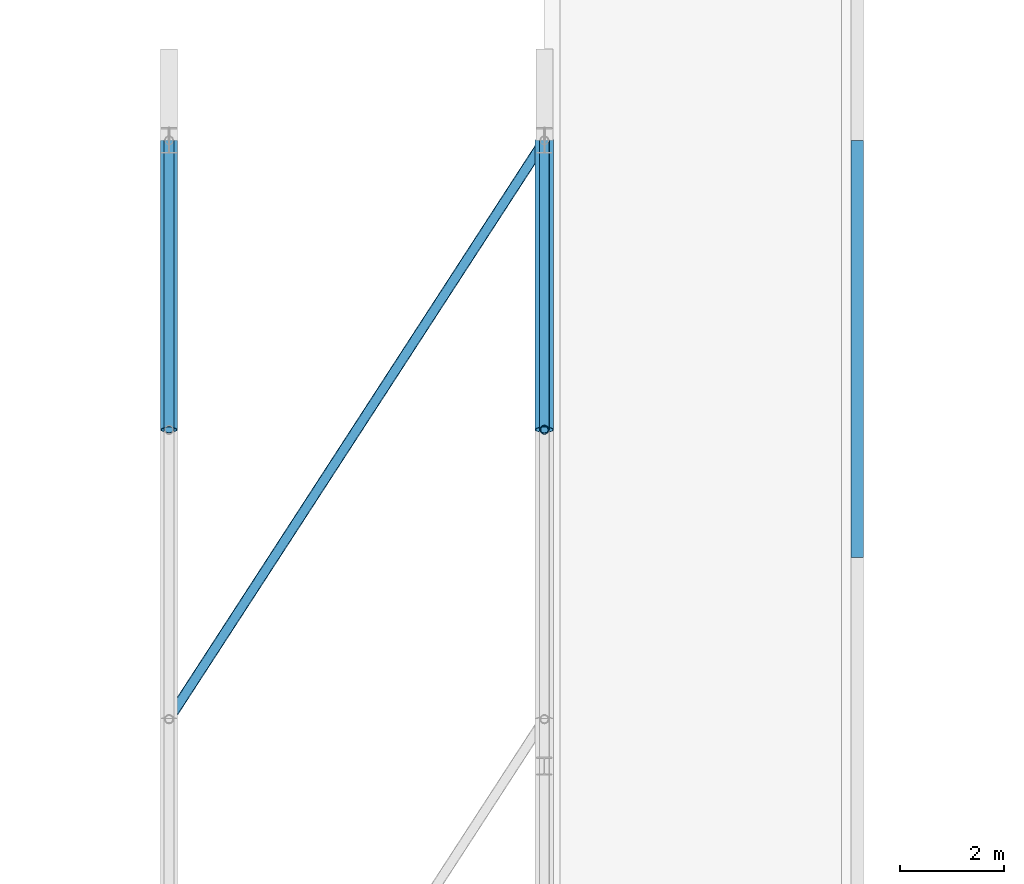
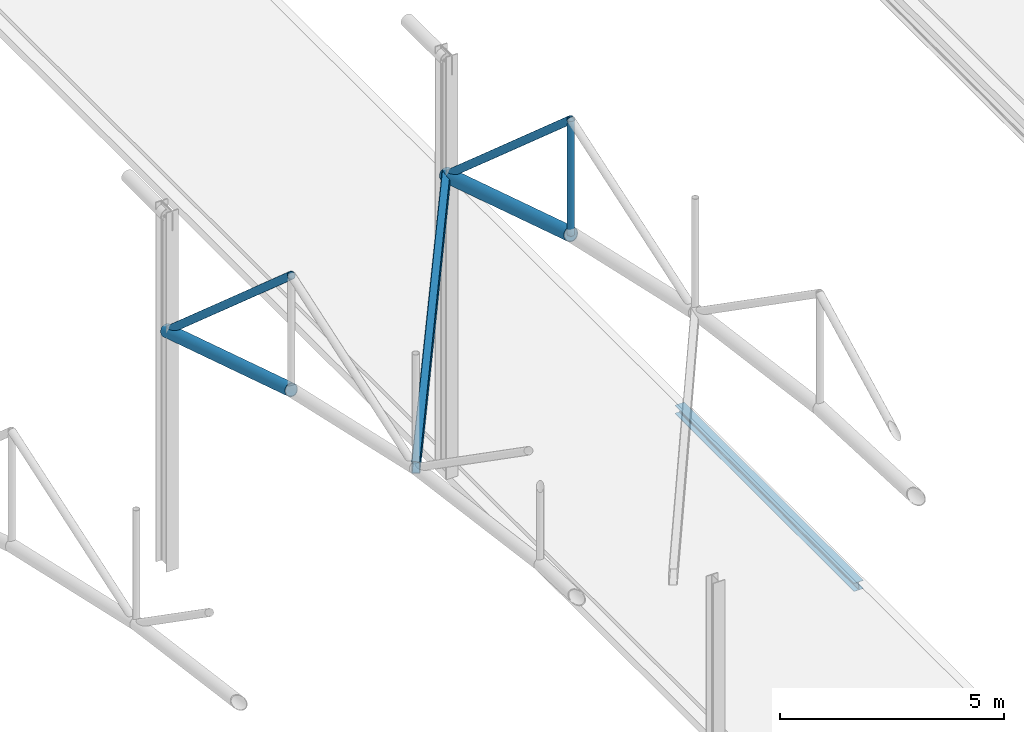
# One storey, part 73 of 153: 6 members, 1 beam.
"""IFC4 building model written with IfcOpenShell, lengths in metres."""

from ifc_helpers import new_model, si_unit, derived_unit, direction, frame, origin, origin_2d, place, context, subcontext, project, spatial, hollow_rectangle, hollow_circle, i_section, extrude, material, material_profile, profile_set, type_object, element, save


model = new_model("IFC4")

# Units and contexts
model_context = context("Model", 3, precision=1e-05, world=origin(), true_north=direction((0.0, 1.0)))
body_context = subcontext(model_context, "Body", "Model", "MODEL_VIEW")
ifc_project = project(units=[si_unit("LENGTHUNIT", "METRE"), si_unit("AREAUNIT", "SQUARE_METRE"), si_unit("VOLUMEUNIT", "CUBIC_METRE"), si_unit("PLANEANGLEUNIT", "RADIAN"), si_unit("MASSUNIT", "GRAM", prefix="KILO"), derived_unit("THERMALTRANSMITTANCEUNIT", [(si_unit("POWERUNIT", "WATT"), 1), (si_unit("LENGTHUNIT", "METRE"), -2), (si_unit("THERMODYNAMICTEMPERATUREUNIT", "KELVIN"), -1)])], contexts=[model_context])

# Site, building, storey
site_placement = place(None, origin())
site = spatial("IfcSite", under=ifc_project, at=site_placement, CompositionType="ELEMENT")
building_placement = place(site_placement, origin())
building = spatial("IfcBuilding", under=site, at=building_placement, Name="Keldorne Ridge Multi-Sports Centre", CompositionType="ELEMENT")
storey_placement = place(building_placement, frame((0.0, 0.0, 9.60009765625)))
storey = spatial("IfcBuildingStorey", under=building, at=storey_placement, Name="L02", CompositionType="ELEMENT", Elevation=9.60009765625)

# Beam
ifc_material = material(Name="Steel S355", Category="steel")
ifc_material_profile_1 = material_profile(ifc_material, i_section(OverallWidth=0.239990234375, OverallDepth=0.22998046875, WebThickness=0.007568359375, FlangeThickness=0.011962890625, FilletRadius=0.02099609375, at=origin_2d()), Name="HEA 240")
ifc_profile_set_1 = profile_set([ifc_material_profile_1], Name="Steel S355")
beam_type = type_object("IfcBeamType", Name="BM-SP-05", PredefinedType="SPANDREL", material=ifc_profile_set_1)
beam_placement = place(storey_placement, frame((84.0, 46.0, -0.34521484375), z_axis=(0.0, 1.0, 0.0), x_axis=(-1.0, 0.0, 0.0)))
element("IfcBeam", 1, at=beam_placement, inside=storey, type_object=beam_type, Name="L02 passage roof beam G12.6", PredefinedType="SPANDREL", context=body_context, shape_type="SweptSolid", body=[
    extrude(i_section(OverallWidth=0.239990234375, OverallDepth=0.22998046875, WebThickness=0.007568359375, FlangeThickness=0.011962890625, FilletRadius=0.02099609375, at=origin_2d()), origin(), (0.0, 0.0, 1.0), 8.0),
])

# Members
ifc_material_profile_2 = material_profile(ifc_material, hollow_circle(Radius=0.177734375, WallThickness=0.01611328125, at=origin_2d()), Name="CHS 355.6x16")
ifc_profile_set_2 = profile_set([ifc_material_profile_2], Name="Steel S355")
member_type_1 = type_object("IfcMemberType", Name="MEM-TC-01", PredefinedType="CHORD", material=ifc_profile_set_2)
member_1_placement = place(storey_placement, frame((78.0, 48.449951171875, 9.849853515625), z_axis=(0.0, 0.953713189214, -0.300717729305), x_axis=(-1.0, 0.0, 0.0)))
element("IfcMember", 2, at=member_1_placement, inside=storey, type_object=member_type_1, Name="Main Hall ROOF TRUSS AT-11 bottom chord 8", PredefinedType="CHORD", context=body_context, shape_type="SweptSolid", body=[
    extrude(hollow_circle(Radius=0.177734375, WallThickness=0.01611328125, at=origin_2d()), origin(), (0.0, 0.0, 1.0), 5.8193359375),
])
ifc_material_profile_3 = material_profile(ifc_material, hollow_circle(Radius=0.161865234375, WallThickness=0.01611328125, at=origin_2d()), Name="CHS 323.9x16")
ifc_profile_set_3 = profile_set([ifc_material_profile_3], Name="Steel S355")
member_type_2 = type_object("IfcMemberType", Name="MEM-TC-02", PredefinedType="CHORD", material=ifc_profile_set_3)
member_2_placement = place(storey_placement, frame((70.800048828125, 48.449951171875, 8.1298828125), z_axis=(0.0, 0.953713189214, -0.300717729305), x_axis=(-1.0, 0.0, 0.0)))
element("IfcMember", 3, at=member_2_placement, inside=storey, type_object=member_type_2, Name="Main Hall ROOF TRUSS AT-10 bottom chord 8", PredefinedType="CHORD", context=body_context, shape_type="SweptSolid", body=[
    extrude(hollow_circle(Radius=0.161865234375, WallThickness=0.01611328125, at=origin_2d()), origin(), (0.0, 0.0, 1.0), 5.8193359375),
])
ifc_material_profile_4 = material_profile(ifc_material, hollow_circle(Radius=0.096923828125, WallThickness=0.010009765625, at=origin_2d()), Name="CHS 193.7x10")
ifc_profile_set_4 = profile_set([ifc_material_profile_4], Name="Steel S355")
member_type_3 = type_object("IfcMemberType", Name="MEM-TD-01", PredefinedType="BRACE", material=ifc_profile_set_4)
for number, where, z_axis, x_axis, name in (
    (4, (70.800048828125, 48.449951171875, 11.25), (0.0, 0.751648102264, -0.659564348918), (-1.0, 0.0, 0.0), "Main Hall ROOF TRUSS AT-10 diagonal 8"),
    (5, (78.0, 48.449951171875, 12.969970703125), (0.0, 0.751648102264, -0.659564348918), (-1.0, 0.0, 0.0), "Main Hall ROOF TRUSS AT-11 diagonal 8"),
):
    element("IfcMember", number, at=place(storey_placement, frame(where, z_axis=z_axis, x_axis=x_axis)), inside=storey, type_object=member_type_3, Name=name, PredefinedType="BRACE", context=body_context, shape_type="SweptSolid", body=[
        extrude(hollow_circle(Radius=0.096923828125, WallThickness=0.010009765625, at=origin_2d()), origin(), (0.0, 0.0, 1.0), 7.3837890625),
    ])
ifc_material_profile_5 = material_profile(ifc_material, hollow_circle(Radius=0.084228515625, WallThickness=0.010009765625, at=origin_2d()), Name="CHS 168.3x10")
ifc_profile_set_5 = profile_set([ifc_material_profile_5], Name="Steel S355")
member_type_4 = type_object("IfcMemberType", Name="MEM-TV-01", PredefinedType="STRUT", material=ifc_profile_set_5)
member_3_placement = place(storey_placement, frame((78.0, 48.449951171875, 9.849853515625), z_axis=(0.0, 0.0, 1.0), x_axis=(1.0, 0.0, 0.0)))
element("IfcMember", 6, at=member_3_placement, inside=storey, type_object=member_type_4, Name="Main Hall ROOF TRUSS AT-11 vertical 8", PredefinedType="STRUT", context=body_context, shape_type="SweptSolid", body=[
    extrude(hollow_circle(Radius=0.084228515625, WallThickness=0.010009765625, at=origin_2d()), origin(), (0.0, 0.0, 1.0), 3.1201171875),
])
ifc_material_profile_6 = material_profile(ifc_material, hollow_rectangle(XDim=0.199951171875, YDim=0.300048828125, WallThickness=0.012451171875, InnerFilletRadius=0.012451171875, OuterFilletRadius=0.02490234375, at=origin_2d()), Name="RHS 300x200x12.5")
ifc_profile_set_6 = profile_set([ifc_material_profile_6], Name="Steel S355")
member_type_5 = type_object("IfcMemberType", Name="MEM-WB-01", PredefinedType="BRACE", material=ifc_profile_set_6)
member_4_placement = place(storey_placement, frame((70.800048828125, 42.89990234375, 9.3798828125), z_axis=(0.541656101606, 0.835066166478, -0.096297275125), x_axis=(-0.83896515778, 0.544185137643, 0.0)))
element("IfcMember", 7, at=member_4_placement, inside=storey, type_object=member_type_5, Name="Main Hall wind girder brace 10.7", PredefinedType="BRACE", context=body_context, shape_type="SweptSolid", body=[
    extrude(hollow_rectangle(XDim=0.199951171875, YDim=0.300048828125, WallThickness=0.012451171875, InnerFilletRadius=0.012451171875, OuterFilletRadius=0.02490234375, at=origin_2d()), origin(), (0.0, 0.0, 1.0), 13.29248046875),
])

save(model, "model.ifc")
